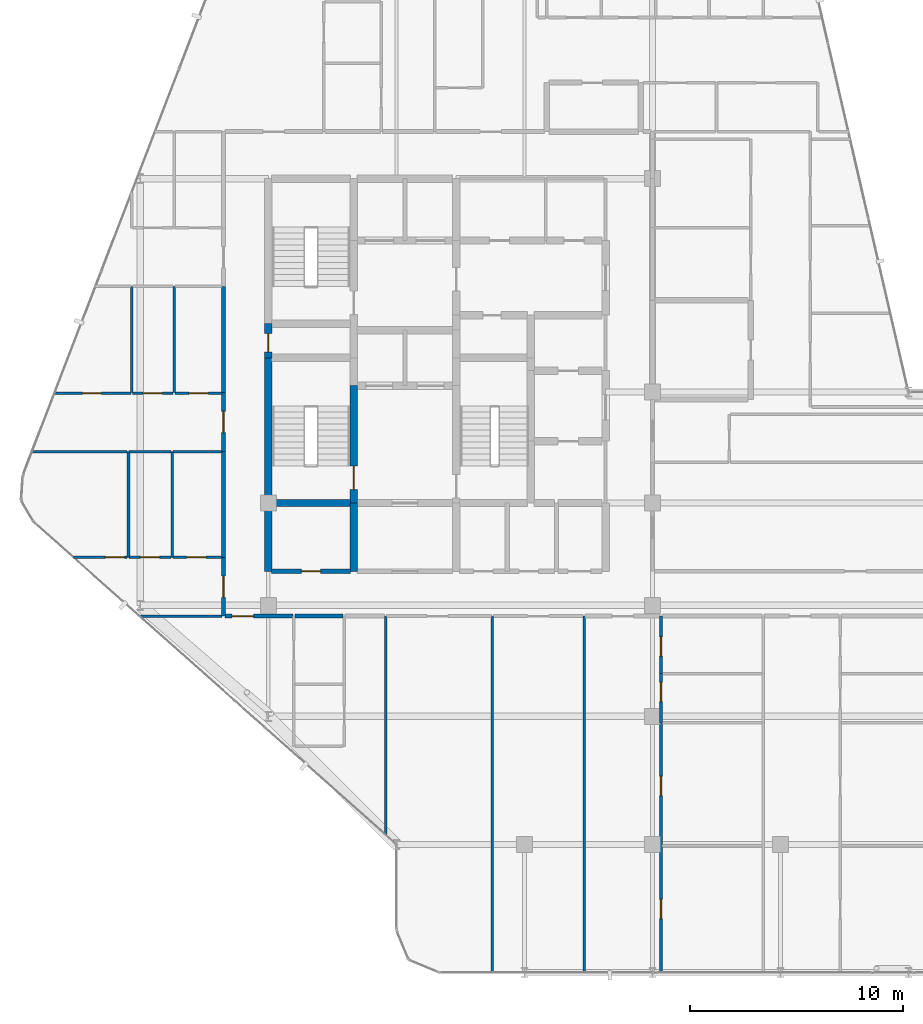
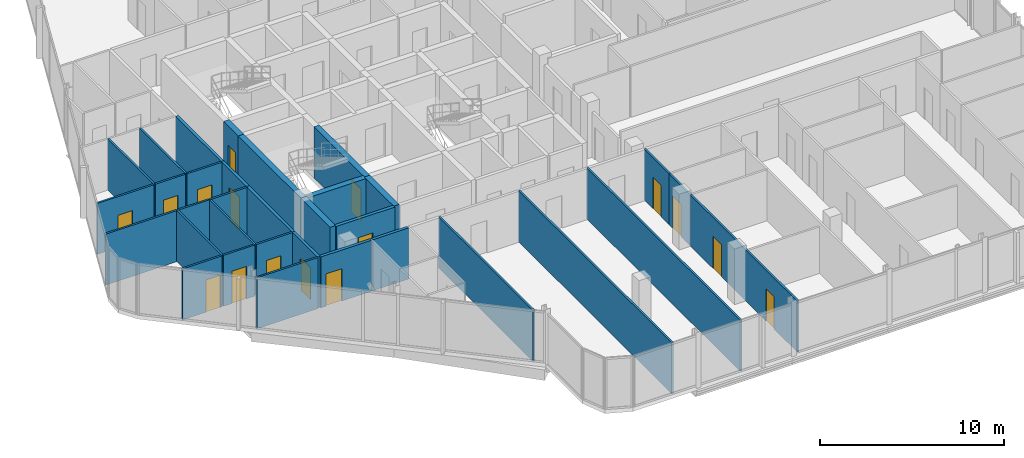
# One storey, part 23 of 29: 33 walls, 16 doors, 16 openings.
"""IFC4 building model written with IfcOpenShell, lengths in metres."""

from ifc_helpers import new_model, si_unit, direction, frame, frame_2d, origin, place, context, subcontext, project, spatial, rectangle, extrude, material, layer, layer_set, type_object, element, fill, save


model = new_model("IFC4")

# Units and contexts
model_context = context("Model", 3, precision=1e-05, world=origin(), true_north=direction((0.0, 1.0)))
body_context = subcontext(model_context, "Body", "Model", "MODEL_VIEW")
ifc_project = project(units=[si_unit("LENGTHUNIT", "METRE"), si_unit("AREAUNIT", "SQUARE_METRE"), si_unit("VOLUMEUNIT", "CUBIC_METRE"), si_unit("PLANEANGLEUNIT", "RADIAN"), si_unit("MASSUNIT", "GRAM", prefix="KILO")], contexts=[model_context])

# Site, building, storey
site_placement = place(None, origin())
site = spatial("IfcSite", under=ifc_project, at=site_placement, CompositionType="ELEMENT")
building_placement = place(site_placement, origin())
building = spatial("IfcBuilding", under=site, at=building_placement, Name="Keshet Zoharim Tower", CompositionType="ELEMENT")
storey_placement = place(building_placement, frame((0.0, 0.0, 226.5)))
storey = spatial("IfcBuildingStorey", under=building, at=storey_placement, Name="L56", CompositionType="ELEMENT", Elevation=226.5)

# Walls
ifc_material_1 = material(Name="Concrete C60/75", Category="concrete")
ifc_layer_1 = layer(ifc_material_1, 0.35009765625)
ifc_layer_set_1 = layer_set([ifc_layer_1], Name="Concrete C60/75")
wall_type_1 = type_object("IfcWallType", Name="WL-CORE-350", PredefinedType="SHEAR", material=ifc_layer_set_1)
wall_1_placement = place(storey_placement, frame((15.0, 19.5, 0.0), z_axis=(0.0, 0.0, 1.0), x_axis=(0.0, 1.0, 0.0)))
element("IfcWall", 1, at=wall_1_placement, inside=storey, type_object=wall_type_1, Name="L56 Core Shear Wall 013", PredefinedType="SHEAR", context=body_context, shape_type="SweptSolid", body=[
    extrude(rectangle(XDim=3.199951171875, YDim=0.35009765625, at=frame_2d((1.60009765625, 0.0))), origin(), (0.0, 0.0, 1.0), 3.389892578125),
])
wall_2_placement = place(storey_placement, frame((15.0, 22.699951171875, 0.0), z_axis=(0.0, 0.0, 1.0), x_axis=(0.0, 1.0, 0.0)))
element("IfcWall", 2, at=wall_2_placement, inside=storey, type_object=wall_type_1, Name="L56 Core Shear Wall 014", PredefinedType="SHEAR", context=body_context, shape_type="SweptSolid", body=[
    extrude(rectangle(XDim=6.800048828125, YDim=0.35009765625, at=frame_2d((3.39990234375, 0.0))), origin(), (0.0, 0.0, 1.0), 3.389892578125),
])

# Wall, opening, door
wall_3_placement = place(storey_placement, frame((15.0, 29.5, 0.0), z_axis=(0.0, 0.0, 1.0), x_axis=(0.0, 1.0, 0.0)))
wall_3 = element("IfcWall", 3, at=wall_3_placement, inside=storey, type_object=wall_type_1, Name="L56 Core Shear Wall 015", PredefinedType="SHEAR", context=body_context, shape_type="SweptSolid", body=[
    extrude(rectangle(XDim=1.60009765625, YDim=0.35009765625, at=frame_2d((0.800048828125, 0.0))), origin(), (0.0, 0.0, 1.0), 3.389892578125),
])
opening_1_placement = place(wall_3_placement, frame((0.287109375, 0.0, 0.0)))
opening_1 = element("IfcOpeningElement", 4, at=opening_1_placement, cuts=wall_3, Name="Opening D-RS85", PredefinedType="OPENING", context=body_context, shape_type="SweptSolid", body=[
    extrude(rectangle(XDim=0.85009765625, YDim=2.10009765625, at=frame_2d((0.425048828125, 1.050048828125))), frame((0.0, 0.18505859375, 0.0), z_axis=(0.0, -1.0, 0.0), x_axis=(1.0, 0.0, 0.0)), (0.0, 0.0, 1.0), 0.3701171875),
])
ifc_material_2 = material(Name="Hardwood Timber", Category="wood")
door_type_1 = type_object("IfcDoorType", Name="DR-RIS-085", OperationType="NOTDEFINED", PredefinedType="DOOR", material=ifc_material_2)
door_1_placement = place(opening_1_placement, origin())
door_1 = element("IfcDoor", 5, at=door_1_placement, inside=storey, type_object=door_type_1, Name="L56 Electrical Riser Access Cupboard Door", OperationType="SINGLE_SWING_LEFT", OverallHeight=2.10009765625, OverallWidth=0.85009765625, PredefinedType="DOOR", context=body_context, shape_type="SweptSolid", body=[
    extrude(rectangle(XDim=0.85009765625, YDim=2.10009765625, at=frame_2d((0.425048828125, 1.050048828125))), frame((0.0, 0.02490234375, 0.0), z_axis=(0.0, -1.0, 0.0), x_axis=(1.0, 0.0, 0.0)), (0.0, 0.0, 1.0), 0.050048828125),
])
fill(opening_1, door_1)

# Wall
wall_4_placement = place(storey_placement, frame((19.0, 19.5, 0.0), z_axis=(0.0, 0.0, 1.0), x_axis=(0.0, 1.0, 0.0)))
element("IfcWall", 6, at=wall_4_placement, inside=storey, type_object=wall_type_1, Name="L56 Core Shear Wall 023", PredefinedType="SHEAR", context=body_context, shape_type="SweptSolid", body=[
    extrude(rectangle(XDim=3.199951171875, YDim=0.35009765625, at=frame_2d((1.60009765625, 0.0))), origin(), (0.0, 0.0, 1.0), 3.389892578125),
])

# Wall, opening, door
wall_5_placement = place(storey_placement, frame((19.0, 22.699951171875, 0.0), z_axis=(0.0, 0.0, 1.0), x_axis=(0.0, 1.0, 0.0)))
wall_5 = element("IfcWall", 7, at=wall_5_placement, inside=storey, type_object=wall_type_1, Name="L56 Core Shear Wall 024", PredefinedType="SHEAR", context=body_context, shape_type="SweptSolid", body=[
    extrude(rectangle(XDim=5.5, YDim=0.35009765625, at=frame_2d((2.75, 0.0))), origin(), (0.0, 0.0, 1.0), 3.389892578125),
])
opening_2_placement = place(wall_5_placement, frame((0.631103515625, 0.0, 0.0)))
opening_2 = element("IfcOpeningElement", 8, at=opening_2_placement, cuts=wall_5, Name="Opening D-F611", PredefinedType="OPENING", context=body_context, shape_type="SweptSolid", body=[
    extrude(rectangle(XDim=1.10009765625, YDim=2.14990234375, at=frame_2d((0.550048828125, 1.074951171875))), frame((0.0, 0.18505859375, 0.0), z_axis=(0.0, -1.0, 0.0), x_axis=(1.0, 0.0, 0.0)), (0.0, 0.0, 1.0), 0.3701171875),
])
door_type_2 = type_object("IfcDoorType", Name="DR-FD60-110", OperationType="NOTDEFINED", PredefinedType="DOOR", material=ifc_material_2)
door_2_placement = place(opening_2_placement, origin())
door_2 = element("IfcDoor", 9, at=door_2_placement, inside=storey, type_object=door_type_2, Name="L56 Exit Stair ST-01 Fire Door", OperationType="SINGLE_SWING_LEFT", OverallHeight=2.14990234375, OverallWidth=1.10009765625, PredefinedType="DOOR", context=body_context, shape_type="SweptSolid", body=[
    extrude(rectangle(XDim=1.10009765625, YDim=2.14990234375, at=frame_2d((0.550048828125, 1.074951171875))), frame((0.0, 0.02490234375, 0.0), z_axis=(0.0, -1.0, 0.0), x_axis=(1.0, 0.0, 0.0)), (0.0, 0.0, 1.0), 0.050048828125),
])
fill(opening_2, door_2)

# Wall
wall_6_placement = place(storey_placement, frame((15.159912109375, 22.699951171875, 0.0), z_axis=(0.0, 0.0, 1.0), x_axis=(1.0, 0.0, 0.0)))
element("IfcWall", 10, at=wall_6_placement, inside=storey, type_object=wall_type_1, Name="L56 Core Shear Wall 130", PredefinedType="SHEAR", context=body_context, shape_type="SweptSolid", body=[
    extrude(rectangle(XDim=3.68017578125, YDim=0.35009765625, at=frame_2d((1.840087890625, 0.0))), origin(), (0.0, 0.0, 1.0), 3.389892578125),
])

# Wall, opening, door
ifc_material_3 = material(Name="Gypsum Plasterboard", Category="gypsum")
ifc_layer_2 = layer(ifc_material_3, 0.179931640625)
ifc_layer_set_2 = layer_set([ifc_layer_2], Name="Gypsum Plasterboard")
wall_type_2 = type_object("IfcWallType", Name="WL-CORR-180", PredefinedType="STANDARD", material=ifc_layer_set_2)
wall_7_placement = place(storey_placement, frame((12.89990234375, 17.39990234375, 0.0), z_axis=(0.0, 0.0, 1.0), x_axis=(0.0, 1.0, 0.0)))
wall_7 = element("IfcWall", 11, at=wall_7_placement, inside=storey, type_object=wall_type_2, Name="L56 Interior Wall 007", PredefinedType="STANDARD", context=body_context, shape_type="SweptSolid", body=[
    extrude(rectangle(XDim=2.75, YDim=0.179931640625, at=frame_2d((1.375, 0.0))), origin(), (0.0, 0.0, 1.0), 3.389892578125),
])
opening_3_placement = place(wall_7_placement, frame((0.875, 0.0, 0.0)))
opening_3 = element("IfcOpeningElement", 12, at=opening_3_placement, cuts=wall_7, Name="Opening D-F310", PredefinedType="OPENING", context=body_context, shape_type="SweptSolid", body=[
    extrude(rectangle(XDim=1.0, YDim=2.14990234375, at=frame_2d((0.5, 1.074951171875))), frame((0.0, 0.10009765625, 0.0), z_axis=(0.0, -1.0, 0.0), x_axis=(1.0, 0.0, 0.0)), (0.0, 0.0, 1.0), 0.199951171875),
])
door_type_3 = type_object("IfcDoorType", Name="DR-FD30-100", OperationType="NOTDEFINED", PredefinedType="DOOR", material=ifc_material_2)
door_3_placement = place(opening_3_placement, origin())
door_3 = element("IfcDoor", 13, at=door_3_placement, inside=storey, type_object=door_type_3, Name="Apartment 5607 Entrance Door", OperationType="SINGLE_SWING_RIGHT", OverallHeight=2.14990234375, OverallWidth=1.0, PredefinedType="DOOR", context=body_context, shape_type="SweptSolid", body=[
    extrude(rectangle(XDim=1.0, YDim=2.14990234375, at=frame_2d((0.5, 1.074951171875))), frame((0.0, 0.02490234375, 0.0), z_axis=(0.0, -1.0, 0.0), x_axis=(1.0, 0.0, 0.0)), (0.0, 0.0, 1.0), 0.050048828125),
])
fill(opening_3, door_3)

# Wall
wall_8_placement = place(storey_placement, frame((12.89990234375, 20.14990234375, 0.0), z_axis=(0.0, 0.0, 1.0), x_axis=(0.0, 1.0, 0.0)))
element("IfcWall", 14, at=wall_8_placement, inside=storey, type_object=wall_type_2, Name="L56 Interior Wall 008", PredefinedType="STANDARD", context=body_context, shape_type="SweptSolid", body=[
    extrude(rectangle(XDim=4.97021484375, YDim=0.179931640625, at=frame_2d((2.485107421875, 0.0))), origin(), (0.0, 0.0, 1.0), 3.389892578125),
])

# Wall, opening, door
wall_9_placement = place(storey_placement, frame((12.89990234375, 25.1201171875, 0.0), z_axis=(0.0, 0.0, 1.0), x_axis=(0.0, 1.0, 0.0)))
wall_9 = element("IfcWall", 15, at=wall_9_placement, inside=storey, type_object=wall_type_2, Name="L56 Interior Wall 009", PredefinedType="STANDARD", context=body_context, shape_type="SweptSolid", body=[
    extrude(rectangle(XDim=2.75, YDim=0.179931640625, at=frame_2d((1.375, 0.0))), origin(), (0.0, 0.0, 1.0), 3.389892578125),
])
opening_4_placement = place(wall_9_placement, frame((0.875, 0.0, 0.0)))
opening_4 = element("IfcOpeningElement", 16, at=opening_4_placement, cuts=wall_9, Name="Opening D-F310", PredefinedType="OPENING", context=body_context, shape_type="SweptSolid", body=[
    extrude(rectangle(XDim=1.0, YDim=2.14990234375, at=frame_2d((0.5, 1.074951171875))), frame((0.0, 0.10009765625, 0.0), z_axis=(0.0, -1.0, 0.0), x_axis=(1.0, 0.0, 0.0)), (0.0, 0.0, 1.0), 0.199951171875),
])
door_4_placement = place(opening_4_placement, origin())
door_4 = element("IfcDoor", 17, at=door_4_placement, inside=storey, type_object=door_type_3, Name="Apartment 5608 Entrance Door", OperationType="SINGLE_SWING_LEFT", OverallHeight=2.14990234375, OverallWidth=1.0, PredefinedType="DOOR", context=body_context, shape_type="SweptSolid", body=[
    extrude(rectangle(XDim=1.0, YDim=2.14990234375, at=frame_2d((0.5, 1.074951171875))), frame((0.0, 0.02490234375, 0.0), z_axis=(0.0, -1.0, 0.0), x_axis=(1.0, 0.0, 0.0)), (0.0, 0.0, 1.0), 0.050048828125),
])
fill(opening_4, door_4)

# Wall
wall_10_placement = place(storey_placement, frame((12.89990234375, 27.8701171875, 0.0), z_axis=(0.0, 0.0, 1.0), x_axis=(0.0, 1.0, 0.0)))
element("IfcWall", 18, at=wall_10_placement, inside=storey, type_object=wall_type_2, Name="L56 Interior Wall 010", PredefinedType="STANDARD", context=body_context, shape_type="SweptSolid", body=[
    extrude(rectangle(XDim=4.969970703125, YDim=0.179931640625, at=frame_2d((2.48486328125, 0.0))), origin(), (0.0, 0.0, 1.0), 3.389892578125),
])

# Wall, opening, door
wall_11_placement = place(storey_placement, frame((12.97509765625, 17.39990234375, 0.0), z_axis=(0.0, 0.0, 1.0), x_axis=(1.0, 0.0, 0.0)))
wall_11 = element("IfcWall", 19, at=wall_11_placement, inside=storey, type_object=wall_type_2, Name="L56 Interior Wall 110", PredefinedType="STANDARD", context=body_context, shape_type="SweptSolid", body=[
    extrude(rectangle(XDim=3.179931640625, YDim=0.179931640625, at=frame_2d((1.58984375, 0.0))), origin(), (0.0, 0.0, 1.0), 3.389892578125),
])
opening_5_placement = place(wall_11_placement, frame((0.33203125, 0.0, 0.0)))
opening_5 = element("IfcOpeningElement", 20, at=opening_5_placement, cuts=wall_11, Name="Opening D-F310", PredefinedType="OPENING", context=body_context, shape_type="SweptSolid", body=[
    extrude(rectangle(XDim=1.0, YDim=2.14990234375, at=frame_2d((0.5, 1.074951171875))), frame((0.0, 0.10009765625, 0.0), z_axis=(0.0, -1.0, 0.0), x_axis=(1.0, 0.0, 0.0)), (0.0, 0.0, 1.0), 0.199951171875),
])
door_5_placement = place(opening_5_placement, origin())
door_5 = element("IfcDoor", 21, at=door_5_placement, inside=storey, type_object=door_type_3, Name="Apartment 5601 Entrance Door", OperationType="SINGLE_SWING_RIGHT", OverallHeight=2.14990234375, OverallWidth=1.0, PredefinedType="DOOR", context=body_context, shape_type="SweptSolid", body=[
    extrude(rectangle(XDim=1.0, YDim=2.14990234375, at=frame_2d((0.5, 1.074951171875))), frame((0.0, 0.02490234375, 0.0), z_axis=(0.0, -1.0, 0.0), x_axis=(1.0, 0.0, 0.0)), (0.0, 0.0, 1.0), 0.050048828125),
])
fill(opening_5, door_5)

# Wall
wall_12_placement = place(storey_placement, frame((16.2451171875, 17.39990234375, 0.0), z_axis=(0.0, 0.0, 1.0), x_axis=(1.0, 0.0, 0.0)))
element("IfcWall", 22, at=wall_12_placement, inside=storey, type_object=wall_type_2, Name="L56 Interior Wall 111", PredefinedType="STANDARD", context=body_context, shape_type="SweptSolid", body=[
    extrude(rectangle(XDim=2.259765625, YDim=0.179931640625, at=frame_2d((1.1298828125, 0.0))), origin(), (0.0, 0.0, 1.0), 3.389892578125),
])

# Wall, opening, door
ifc_material_4 = material(Name="Concrete C50/60", Category="concrete")
ifc_layer_3 = layer(ifc_material_4, 0.199951171875)
ifc_layer_set_3 = layer_set([ifc_layer_3], Name="Concrete C50/60")
wall_type_3 = type_object("IfcWallType", Name="WL-FIRE-200", PredefinedType="STANDARD", material=ifc_layer_set_3)
wall_13_placement = place(storey_placement, frame((15.159912109375, 19.5, 0.0), z_axis=(0.0, 0.0, 1.0), x_axis=(1.0, 0.0, 0.0)))
wall_13 = element("IfcWall", 23, at=wall_13_placement, inside=storey, type_object=wall_type_3, Name="L56 Interior Wall 122", PredefinedType="STANDARD", context=body_context, shape_type="SweptSolid", body=[
    extrude(rectangle(XDim=3.68017578125, YDim=0.199951171875, at=frame_2d((1.840087890625, 0.0))), origin(), (0.0, 0.0, 1.0), 3.389892578125),
])
opening_6_placement = place(wall_13_placement, frame((1.389892578125, 0.0, 0.0)))
opening_6 = element("IfcOpeningElement", 24, at=opening_6_placement, cuts=wall_13, Name="Opening D-F690", PredefinedType="OPENING", context=body_context, shape_type="SweptSolid", body=[
    extrude(rectangle(XDim=0.89990234375, YDim=2.14990234375, at=frame_2d((0.449951171875, 1.074951171875))), frame((0.0, 0.10986328125, 0.0), z_axis=(0.0, -1.0, 0.0), x_axis=(1.0, 0.0, 0.0)), (0.0, 0.0, 1.0), 0.219970703125),
])
door_type_4 = type_object("IfcDoorType", Name="DR-FD60-090", OperationType="NOTDEFINED", PredefinedType="DOOR", material=ifc_material_2)
door_6_placement = place(opening_6_placement, origin())
door_6 = element("IfcDoor", 25, at=door_6_placement, inside=storey, type_object=door_type_4, Name="L56 Pram Store Door", OperationType="SINGLE_SWING_RIGHT", OverallHeight=2.14990234375, OverallWidth=0.89990234375, PredefinedType="DOOR", context=body_context, shape_type="SweptSolid", body=[
    extrude(rectangle(XDim=0.89990234375, YDim=2.14990234375, at=frame_2d((0.449951171875, 1.074951171875))), frame((0.0, 0.02490234375, 0.0), z_axis=(0.0, -1.0, 0.0), x_axis=(1.0, 0.0, 0.0)), (0.0, 0.0, 1.0), 0.050048828125),
])
fill(opening_6, door_6)

# Walls
ifc_layer_4 = layer(ifc_material_3, 0.1201171875)
ifc_layer_set_4 = layer_set([ifc_layer_4], Name="Gypsum Plasterboard")
wall_type_4 = type_object("IfcWallType", Name="WL-PART-120", PredefinedType="PARTITIONING", material=ifc_layer_set_4)
wall_14_placement = place(storey_placement, frame((8.449951171875, 20.14990234375, 0.0), z_axis=(0.0, 0.0, 1.0), x_axis=(0.0, 1.0, 0.0)))
element("IfcWall", 26, at=wall_14_placement, inside=storey, type_object=wall_type_4, Name="L56 Interior Wall 001", PredefinedType="PARTITIONING", context=body_context, shape_type="SweptSolid", body=[
    extrude(rectangle(XDim=4.97021484375, YDim=0.1201171875, at=frame_2d((2.485107421875, 0.0))), origin(), (0.0, 0.0, 1.0), 3.389892578125),
])
wall_15_placement = place(storey_placement, frame((8.60009765625, 27.8701171875, 0.0), z_axis=(0.0, 0.0, 1.0), x_axis=(0.0, 1.0, 0.0)))
element("IfcWall", 27, at=wall_15_placement, inside=storey, type_object=wall_type_4, Name="L56 Interior Wall 002", PredefinedType="PARTITIONING", context=body_context, shape_type="SweptSolid", body=[
    extrude(rectangle(XDim=4.969970703125, YDim=0.1201171875, at=frame_2d((2.48486328125, 0.0))), origin(), (0.0, 0.0, 1.0), 3.389892578125),
])
wall_16_placement = place(storey_placement, frame((20.5, 7.154052734375, 0.0), z_axis=(0.0, 0.0, 1.0), x_axis=(0.0, 1.0, 0.0)))
element("IfcWall", 28, at=wall_16_placement, inside=storey, type_object=wall_type_4, Name="L56 Interior Wall 030", PredefinedType="PARTITIONING", context=body_context, shape_type="SweptSolid", body=[
    extrude(rectangle(XDim=10.245849609375, YDim=0.1201171875, at=frame_2d((5.123046875, 0.0))), origin(), (0.0, 0.0, 1.0), 3.389892578125),
])
for number, where, z_axis, x_axis, name in (
    (29, (25.5, 0.7099609375, 0.0), (0.0, 0.0, 1.0), (0.0, 1.0, 0.0), "L56 Interior Wall 043"),
    (30, (29.800048828125, 0.7099609375, 0.0), (0.0, 0.0, 1.0), (0.0, 1.0, 0.0), "L56 Interior Wall 054"),
):
    element("IfcWall", number, at=place(storey_placement, frame(where, z_axis=z_axis, x_axis=x_axis)), inside=storey, type_object=wall_type_4, Name=name, PredefinedType="PARTITIONING", context=body_context, shape_type="SweptSolid", body=[
        extrude(rectangle(XDim=16.68994140625, YDim=0.1201171875, at=frame_2d((8.344970703125, 0.0))), origin(), (0.0, 0.0, 1.0), 3.389892578125),
    ])

# Wall, openings, doors
wall_17_placement = place(storey_placement, frame((33.39990234375, 0.7099609375, 0.0), z_axis=(0.0, 0.0, 1.0), x_axis=(0.0, 1.0, 0.0)))
wall_17 = element("IfcWall", 31, at=wall_17_placement, inside=storey, type_object=wall_type_4, Name="L56 Interior Wall 070", PredefinedType="PARTITIONING", context=body_context, shape_type="SweptSolid", body=[
    extrude(rectangle(XDim=11.68994140625, YDim=0.1201171875, at=frame_2d((5.844970703125, 0.0))), origin(), (0.0, 0.0, 1.0), 3.389892578125),
])
opening_7_placement = place(wall_17_placement, frame((2.513916015625, 0.0, 0.0)))
opening_7 = element("IfcOpeningElement", 32, at=opening_7_placement, cuts=wall_17, Name="Opening D-IN90", PredefinedType="OPENING", context=body_context, shape_type="SweptSolid", body=[
    extrude(rectangle(XDim=0.89990234375, YDim=2.14990234375, at=frame_2d((0.449951171875, 1.074951171875))), frame((0.0, 0.070068359375, 0.0), z_axis=(0.0, -1.0, 0.0), x_axis=(1.0, 0.0, 0.0)), (0.0, 0.0, 1.0), 0.14013671875),
])
opening_8_placement = place(wall_17_placement, frame((8.280029296875, 0.0, 0.0)))
opening_8 = element("IfcOpeningElement", 33, at=opening_8_placement, cuts=wall_17, Name="Opening D-IN90", PredefinedType="OPENING", context=body_context, shape_type="SweptSolid", body=[
    extrude(rectangle(XDim=0.89990234375, YDim=2.14990234375, at=frame_2d((0.449951171875, 1.074951171875))), frame((0.0, 0.070068359375, 0.0), z_axis=(0.0, -1.0, 0.0), x_axis=(1.0, 0.0, 0.0)), (0.0, 0.0, 1.0), 0.14013671875),
])
door_type_5 = type_object("IfcDoorType", Name="DR-INT-090", OperationType="NOTDEFINED", PredefinedType="DOOR", material=ifc_material_2)
door_7_placement = place(opening_7_placement, origin())
door_7 = element("IfcDoor", 34, at=door_7_placement, inside=storey, type_object=door_type_5, Name="Apartment 5602 Bedroom 1 Door", OperationType="SINGLE_SWING_RIGHT", OverallHeight=2.14990234375, OverallWidth=0.89990234375, PredefinedType="DOOR", context=body_context, shape_type="SweptSolid", body=[
    extrude(rectangle(XDim=0.89990234375, YDim=2.14990234375, at=frame_2d((0.449951171875, 1.074951171875))), frame((0.0, 0.02490234375, 0.0), z_axis=(0.0, -1.0, 0.0), x_axis=(1.0, 0.0, 0.0)), (0.0, 0.0, 1.0), 0.050048828125),
])
fill(opening_7, door_7)
door_8_placement = place(opening_8_placement, origin())
door_8 = element("IfcDoor", 35, at=door_8_placement, inside=storey, type_object=door_type_5, Name="Apartment 5602 Bedroom 2 Door", OperationType="SINGLE_SWING_LEFT", OverallHeight=2.14990234375, OverallWidth=0.89990234375, PredefinedType="DOOR", context=body_context, shape_type="SweptSolid", body=[
    extrude(rectangle(XDim=0.89990234375, YDim=2.14990234375, at=frame_2d((0.449951171875, 1.074951171875))), frame((0.0, 0.02490234375, 0.0), z_axis=(0.0, -1.0, 0.0), x_axis=(1.0, 0.0, 0.0)), (0.0, 0.0, 1.0), 0.050048828125),
])
fill(opening_8, door_8)

# Wall, opening, door
wall_18_placement = place(storey_placement, frame((33.39990234375, 12.39990234375, 0.0), z_axis=(0.0, 0.0, 1.0), x_axis=(0.0, 1.0, 0.0)))
wall_18 = element("IfcWall", 36, at=wall_18_placement, inside=storey, type_object=wall_type_4, Name="L56 Interior Wall 071", PredefinedType="PARTITIONING", context=body_context, shape_type="SweptSolid", body=[
    extrude(rectangle(XDim=2.300048828125, YDim=0.1201171875, at=frame_2d((1.14990234375, 0.0))), origin(), (0.0, 0.0, 1.0), 3.389892578125),
])
opening_9_placement = place(wall_18_placement, frame((0.9951171875, 0.0, 0.0)))
opening_9 = element("IfcOpeningElement", 37, at=opening_9_placement, cuts=wall_18, Name="Opening D-IN90", PredefinedType="OPENING", context=body_context, shape_type="SweptSolid", body=[
    extrude(rectangle(XDim=0.89990234375, YDim=2.14990234375, at=frame_2d((0.449951171875, 1.074951171875))), frame((0.0, 0.070068359375, 0.0), z_axis=(0.0, -1.0, 0.0), x_axis=(1.0, 0.0, 0.0)), (0.0, 0.0, 1.0), 0.14013671875),
])
door_9_placement = place(opening_9_placement, origin())
door_9 = element("IfcDoor", 38, at=door_9_placement, inside=storey, type_object=door_type_5, Name="Apartment 5602 Kitchen Door", OperationType="SINGLE_SWING_RIGHT", OverallHeight=2.14990234375, OverallWidth=0.89990234375, PredefinedType="DOOR", context=body_context, shape_type="SweptSolid", body=[
    extrude(rectangle(XDim=0.89990234375, YDim=2.14990234375, at=frame_2d((0.449951171875, 1.074951171875))), frame((0.0, 0.02490234375, 0.0), z_axis=(0.0, -1.0, 0.0), x_axis=(1.0, 0.0, 0.0)), (0.0, 0.0, 1.0), 0.050048828125),
])
fill(opening_9, door_9)

# Wall
wall_19_placement = place(storey_placement, frame((8.972900390625, 17.39990234375, 0.0), z_axis=(0.0, 0.0, 1.0), x_axis=(1.0, 0.0, 0.0)))
element("IfcWall", 39, at=wall_19_placement, inside=storey, type_object=wall_type_4, Name="L56 Interior Wall 109", PredefinedType="PARTITIONING", context=body_context, shape_type="SweptSolid", body=[
    extrude(rectangle(XDim=3.85205078125, YDim=0.1201171875, at=frame_2d((1.926025390625, 0.0))), origin(), (0.0, 0.0, 1.0), 3.389892578125),
])

# Wall, opening, door
wall_20_placement = place(storey_placement, frame((5.87890625, 20.14990234375, 0.0), z_axis=(0.0, 0.0, 1.0), x_axis=(1.0, 0.0, 0.0)))
wall_20 = element("IfcWall", 40, at=wall_20_placement, inside=storey, type_object=wall_type_4, Name="L56 Interior Wall 127", PredefinedType="PARTITIONING", context=body_context, shape_type="SweptSolid", body=[
    extrude(rectangle(XDim=2.504150390625, YDim=0.1201171875, at=frame_2d((1.251953125, 0.0))), origin(), (0.0, 0.0, 1.0), 3.389892578125),
])
opening_10_placement = place(wall_20_placement, frame((1.48388671875, 0.0, 0.0)))
opening_10 = element("IfcOpeningElement", 41, at=opening_10_placement, cuts=wall_20, Name="Opening D-IN90", PredefinedType="OPENING", context=body_context, shape_type="SweptSolid", body=[
    extrude(rectangle(XDim=0.89990234375, YDim=2.14990234375, at=frame_2d((0.449951171875, 1.074951171875))), frame((0.0, 0.070068359375, 0.0), z_axis=(0.0, -1.0, 0.0), x_axis=(1.0, 0.0, 0.0)), (0.0, 0.0, 1.0), 0.14013671875),
])
door_10_placement = place(opening_10_placement, origin())
door_10 = element("IfcDoor", 42, at=door_10_placement, inside=storey, type_object=door_type_5, Name="Apartment 5607 Bedroom 1 Door", OperationType="SINGLE_SWING_RIGHT", OverallHeight=2.14990234375, OverallWidth=0.89990234375, PredefinedType="DOOR", context=body_context, shape_type="SweptSolid", body=[
    extrude(rectangle(XDim=0.89990234375, YDim=2.14990234375, at=frame_2d((0.449951171875, 1.074951171875))), frame((0.0, 0.02490234375, 0.0), z_axis=(0.0, -1.0, 0.0), x_axis=(1.0, 0.0, 0.0)), (0.0, 0.0, 1.0), 0.050048828125),
])
fill(opening_10, door_10)

wall_21_placement = place(storey_placement, frame((8.472900390625, 20.14990234375, 0.0), z_axis=(0.0, 0.0, 1.0), x_axis=(1.0, 0.0, 0.0)))
wall_21 = element("IfcWall", 43, at=wall_21_placement, inside=storey, type_object=wall_type_4, Name="L56 Interior Wall 128", PredefinedType="PARTITIONING", context=body_context, shape_type="SweptSolid", body=[
    extrude(rectangle(XDim=1.967041015625, YDim=0.1201171875, at=frame_2d((0.9833984375, 0.0))), origin(), (0.0, 0.0, 1.0), 3.389892578125),
])
opening_11_placement = place(wall_21_placement, frame((0.533935546875, 0.0, 0.0)))
opening_11 = element("IfcOpeningElement", 44, at=opening_11_placement, cuts=wall_21, Name="Opening D-IN90", PredefinedType="OPENING", context=body_context, shape_type="SweptSolid", body=[
    extrude(rectangle(XDim=0.89990234375, YDim=2.14990234375, at=frame_2d((0.449951171875, 1.074951171875))), frame((0.0, 0.070068359375, 0.0), z_axis=(0.0, -1.0, 0.0), x_axis=(1.0, 0.0, 0.0)), (0.0, 0.0, 1.0), 0.14013671875),
])
door_11_placement = place(opening_11_placement, origin())
door_11 = element("IfcDoor", 45, at=door_11_placement, inside=storey, type_object=door_type_5, Name="Apartment 5607 Kitchen Door", OperationType="SINGLE_SWING_LEFT", OverallHeight=2.14990234375, OverallWidth=0.89990234375, PredefinedType="DOOR", context=body_context, shape_type="SweptSolid", body=[
    extrude(rectangle(XDim=0.89990234375, YDim=2.14990234375, at=frame_2d((0.449951171875, 1.074951171875))), frame((0.0, 0.02490234375, 0.0), z_axis=(0.0, -1.0, 0.0), x_axis=(1.0, 0.0, 0.0)), (0.0, 0.0, 1.0), 0.050048828125),
])
fill(opening_11, door_11)

# Walls
wall_22_placement = place(storey_placement, frame((3.93310546875, 25.10009765625, 0.0), z_axis=(0.0, 0.0, 1.0), x_axis=(1.0, 0.0, 0.0)))
element("IfcWall", 46, at=wall_22_placement, inside=storey, type_object=wall_type_4, Name="L56 Interior Wall 137", PredefinedType="PARTITIONING", context=body_context, shape_type="SweptSolid", body=[
    extrude(rectangle(XDim=4.449951171875, YDim=0.1201171875, at=frame_2d((2.22509765625, 0.0))), origin(), (0.0, 0.0, 1.0), 3.389892578125),
])
wall_23_placement = place(storey_placement, frame((8.472900390625, 25.10009765625, 0.0), z_axis=(0.0, 0.0, 1.0), x_axis=(1.0, 0.0, 0.0)))
element("IfcWall", 47, at=wall_23_placement, inside=storey, type_object=wall_type_4, Name="L56 Interior Wall 138", PredefinedType="PARTITIONING", context=body_context, shape_type="SweptSolid", body=[
    extrude(rectangle(XDim=1.967041015625, YDim=0.1201171875, at=frame_2d((0.9833984375, 0.0))), origin(), (0.0, 0.0, 1.0), 3.389892578125),
])

# Wall, opening, door
wall_24_placement = place(storey_placement, frame((4.990966796875, 27.85009765625, 0.0), z_axis=(0.0, 0.0, 1.0), x_axis=(1.0, 0.0, 0.0)))
wall_24 = element("IfcWall", 48, at=wall_24_placement, inside=storey, type_object=wall_type_4, Name="L56 Interior Wall 144", PredefinedType="PARTITIONING", context=body_context, shape_type="SweptSolid", body=[
    extrude(rectangle(XDim=3.56396484375, YDim=0.1201171875, at=frame_2d((1.781982421875, 0.0))), origin(), (0.0, 0.0, 1.0), 3.389892578125),
])
opening_12_placement = place(wall_24_placement, frame((1.291015625, 0.0, 0.0)))
opening_12 = element("IfcOpeningElement", 49, at=opening_12_placement, cuts=wall_24, Name="Opening D-IN90", PredefinedType="OPENING", context=body_context, shape_type="SweptSolid", body=[
    extrude(rectangle(XDim=0.89990234375, YDim=2.14990234375, at=frame_2d((0.449951171875, 1.074951171875))), frame((0.0, 0.070068359375, 0.0), z_axis=(0.0, -1.0, 0.0), x_axis=(1.0, 0.0, 0.0)), (0.0, 0.0, 1.0), 0.14013671875),
])
door_12_placement = place(opening_12_placement, origin())
door_12 = element("IfcDoor", 50, at=door_12_placement, inside=storey, type_object=door_type_5, Name="Apartment 5608 Bedroom 1 Door", OperationType="SINGLE_SWING_LEFT", OverallHeight=2.14990234375, OverallWidth=0.89990234375, PredefinedType="DOOR", context=body_context, shape_type="SweptSolid", body=[
    extrude(rectangle(XDim=0.89990234375, YDim=2.14990234375, at=frame_2d((0.449951171875, 1.074951171875))), frame((0.0, 0.02490234375, 0.0), z_axis=(0.0, -1.0, 0.0), x_axis=(1.0, 0.0, 0.0)), (0.0, 0.0, 1.0), 0.050048828125),
])
fill(opening_12, door_12)

wall_25_placement = place(storey_placement, frame((8.64501953125, 27.85009765625, 0.0), z_axis=(0.0, 0.0, 1.0), x_axis=(1.0, 0.0, 0.0)))
wall_25 = element("IfcWall", 51, at=wall_25_placement, inside=storey, type_object=wall_type_4, Name="L56 Interior Wall 145", PredefinedType="PARTITIONING", context=body_context, shape_type="SweptSolid", body=[
    extrude(rectangle(XDim=1.887939453125, YDim=0.1201171875, at=frame_2d((0.94384765625, 0.0))), origin(), (0.0, 0.0, 1.0), 3.389892578125),
])
opening_13_placement = place(wall_25_placement, frame((0.493896484375, 0.0, 0.0)))
opening_13 = element("IfcOpeningElement", 52, at=opening_13_placement, cuts=wall_25, Name="Opening D-IN90", PredefinedType="OPENING", context=body_context, shape_type="SweptSolid", body=[
    extrude(rectangle(XDim=0.89990234375, YDim=2.14990234375, at=frame_2d((0.449951171875, 1.074951171875))), frame((0.0, 0.070068359375, 0.0), z_axis=(0.0, -1.0, 0.0), x_axis=(1.0, 0.0, 0.0)), (0.0, 0.0, 1.0), 0.14013671875),
])
door_13_placement = place(opening_13_placement, origin())
door_13 = element("IfcDoor", 53, at=door_13_placement, inside=storey, type_object=door_type_5, Name="Apartment 5608 Kitchen Door", OperationType="SINGLE_SWING_RIGHT", OverallHeight=2.14990234375, OverallWidth=0.89990234375, PredefinedType="DOOR", context=body_context, shape_type="SweptSolid", body=[
    extrude(rectangle(XDim=0.89990234375, YDim=2.14990234375, at=frame_2d((0.449951171875, 1.074951171875))), frame((0.0, 0.02490234375, 0.0), z_axis=(0.0, -1.0, 0.0), x_axis=(1.0, 0.0, 0.0)), (0.0, 0.0, 1.0), 0.050048828125),
])
fill(opening_13, door_13)

# Walls
ifc_layer_5 = layer(ifc_material_3, 0.1201171875)
ifc_layer_set_5 = layer_set([ifc_layer_5], Name="Gypsum Plasterboard")
wall_type_5 = type_object("IfcWallType", Name="WL-WET-120", PredefinedType="PARTITIONING", material=ifc_layer_set_5)
wall_26_placement = place(storey_placement, frame((10.5, 20.14990234375, 0.0), z_axis=(0.0, 0.0, 1.0), x_axis=(0.0, 1.0, 0.0)))
element("IfcWall", 54, at=wall_26_placement, inside=storey, type_object=wall_type_5, Name="L56 Interior Wall 004", PredefinedType="PARTITIONING", context=body_context, shape_type="SweptSolid", body=[
    extrude(rectangle(XDim=4.97021484375, YDim=0.1201171875, at=frame_2d((2.485107421875, 0.0))), origin(), (0.0, 0.0, 1.0), 3.389892578125),
])
wall_27_placement = place(storey_placement, frame((10.60009765625, 27.8701171875, 0.0), z_axis=(0.0, 0.0, 1.0), x_axis=(0.0, 1.0, 0.0)))
element("IfcWall", 55, at=wall_27_placement, inside=storey, type_object=wall_type_5, Name="L56 Interior Wall 005", PredefinedType="PARTITIONING", context=body_context, shape_type="SweptSolid", body=[
    extrude(rectangle(XDim=4.969970703125, YDim=0.1201171875, at=frame_2d((2.48486328125, 0.0))), origin(), (0.0, 0.0, 1.0), 3.389892578125),
])

# Wall, opening, door
wall_28_placement = place(storey_placement, frame((33.39990234375, 14.699951171875, 0.0), z_axis=(0.0, 0.0, 1.0), x_axis=(0.0, 1.0, 0.0)))
wall_28 = element("IfcWall", 56, at=wall_28_placement, inside=storey, type_object=wall_type_5, Name="L56 Interior Wall 072", PredefinedType="PARTITIONING", context=body_context, shape_type="SweptSolid", body=[
    extrude(rectangle(XDim=2.699951171875, YDim=0.1201171875, at=frame_2d((1.35009765625, 0.0))), origin(), (0.0, 0.0, 1.0), 3.389892578125),
])
opening_14_placement = place(wall_28_placement, frame((0.827880859375, 0.0, 0.0)))
opening_14 = element("IfcOpeningElement", 57, at=opening_14_placement, cuts=wall_28, Name="Opening D-WT90", PredefinedType="OPENING", context=body_context, shape_type="SweptSolid", body=[
    extrude(rectangle(XDim=0.89990234375, YDim=2.10009765625, at=frame_2d((0.449951171875, 1.050048828125))), frame((0.0, 0.070068359375, 0.0), z_axis=(0.0, -1.0, 0.0), x_axis=(1.0, 0.0, 0.0)), (0.0, 0.0, 1.0), 0.14013671875),
])
door_type_6 = type_object("IfcDoorType", Name="DR-WET-090", OperationType="NOTDEFINED", PredefinedType="DOOR", material=ifc_material_2)
door_14_placement = place(opening_14_placement, origin())
door_14 = element("IfcDoor", 58, at=door_14_placement, inside=storey, type_object=door_type_6, Name="Apartment 5602 Bathroom Door", OperationType="SINGLE_SWING_LEFT", OverallHeight=2.10009765625, OverallWidth=0.89990234375, PredefinedType="DOOR", context=body_context, shape_type="SweptSolid", body=[
    extrude(rectangle(XDim=0.89990234375, YDim=2.10009765625, at=frame_2d((0.449951171875, 1.050048828125))), frame((0.0, 0.02490234375, 0.0), z_axis=(0.0, -1.0, 0.0), x_axis=(1.0, 0.0, 0.0)), (0.0, 0.0, 1.0), 0.050048828125),
])
fill(opening_14, door_14)

wall_29_placement = place(storey_placement, frame((10.530029296875, 20.14990234375, 0.0), z_axis=(0.0, 0.0, 1.0), x_axis=(1.0, 0.0, 0.0)))
wall_29 = element("IfcWall", 59, at=wall_29_placement, inside=storey, type_object=wall_type_5, Name="L56 Interior Wall 129", PredefinedType="PARTITIONING", context=body_context, shape_type="SweptSolid", body=[
    extrude(rectangle(XDim=2.294921875, YDim=0.1201171875, at=frame_2d((1.1474609375, 0.0))), origin(), (0.0, 0.0, 1.0), 3.389892578125),
])
opening_15_placement = place(wall_29_placement, frame((0.64111328125, 0.0, 0.0)))
opening_15 = element("IfcOpeningElement", 60, at=opening_15_placement, cuts=wall_29, Name="Opening D-WT90", PredefinedType="OPENING", context=body_context, shape_type="SweptSolid", body=[
    extrude(rectangle(XDim=0.89990234375, YDim=2.10009765625, at=frame_2d((0.449951171875, 1.050048828125))), frame((0.0, 0.070068359375, 0.0), z_axis=(0.0, -1.0, 0.0), x_axis=(1.0, 0.0, 0.0)), (0.0, 0.0, 1.0), 0.14013671875),
])
door_15_placement = place(opening_15_placement, origin())
door_15 = element("IfcDoor", 61, at=door_15_placement, inside=storey, type_object=door_type_6, Name="Apartment 5607 Bathroom Door", OperationType="SINGLE_SWING_RIGHT", OverallHeight=2.10009765625, OverallWidth=0.89990234375, PredefinedType="DOOR", context=body_context, shape_type="SweptSolid", body=[
    extrude(rectangle(XDim=0.89990234375, YDim=2.10009765625, at=frame_2d((0.449951171875, 1.050048828125))), frame((0.0, 0.02490234375, 0.0), z_axis=(0.0, -1.0, 0.0), x_axis=(1.0, 0.0, 0.0)), (0.0, 0.0, 1.0), 0.050048828125),
])
fill(opening_15, door_15)

# Wall
wall_30_placement = place(storey_placement, frame((10.530029296875, 25.10009765625, 0.0), z_axis=(0.0, 0.0, 1.0), x_axis=(1.0, 0.0, 0.0)))
element("IfcWall", 62, at=wall_30_placement, inside=storey, type_object=wall_type_5, Name="L56 Interior Wall 139", PredefinedType="PARTITIONING", context=body_context, shape_type="SweptSolid", body=[
    extrude(rectangle(XDim=2.294921875, YDim=0.1201171875, at=frame_2d((1.1474609375, 0.0))), origin(), (0.0, 0.0, 1.0), 3.389892578125),
])

# Wall, opening, door
wall_31_placement = place(storey_placement, frame((10.623046875, 27.85009765625, 0.0), z_axis=(0.0, 0.0, 1.0), x_axis=(1.0, 0.0, 0.0)))
wall_31 = element("IfcWall", 63, at=wall_31_placement, inside=storey, type_object=wall_type_5, Name="L56 Interior Wall 146", PredefinedType="PARTITIONING", context=body_context, shape_type="SweptSolid", body=[
    extrude(rectangle(XDim=2.201904296875, YDim=0.1201171875, at=frame_2d((1.10107421875, 0.0))), origin(), (0.0, 0.0, 1.0), 3.389892578125),
])
opening_16_placement = place(wall_31_placement, frame((0.666015625, 0.0, 0.0)))
opening_16 = element("IfcOpeningElement", 64, at=opening_16_placement, cuts=wall_31, Name="Opening D-WT90", PredefinedType="OPENING", context=body_context, shape_type="SweptSolid", body=[
    extrude(rectangle(XDim=0.89990234375, YDim=2.10009765625, at=frame_2d((0.449951171875, 1.050048828125))), frame((0.0, 0.070068359375, 0.0), z_axis=(0.0, -1.0, 0.0), x_axis=(1.0, 0.0, 0.0)), (0.0, 0.0, 1.0), 0.14013671875),
])
door_16_placement = place(opening_16_placement, origin())
door_16 = element("IfcDoor", 65, at=door_16_placement, inside=storey, type_object=door_type_6, Name="Apartment 5608 Bathroom Door", OperationType="SINGLE_SWING_LEFT", OverallHeight=2.10009765625, OverallWidth=0.89990234375, PredefinedType="DOOR", context=body_context, shape_type="SweptSolid", body=[
    extrude(rectangle(XDim=0.89990234375, YDim=2.10009765625, at=frame_2d((0.449951171875, 1.050048828125))), frame((0.0, 0.02490234375, 0.0), z_axis=(0.0, -1.0, 0.0), x_axis=(1.0, 0.0, 0.0)), (0.0, 0.0, 1.0), 0.050048828125),
])
fill(opening_16, door_16)

save(model, "model.ifc")
